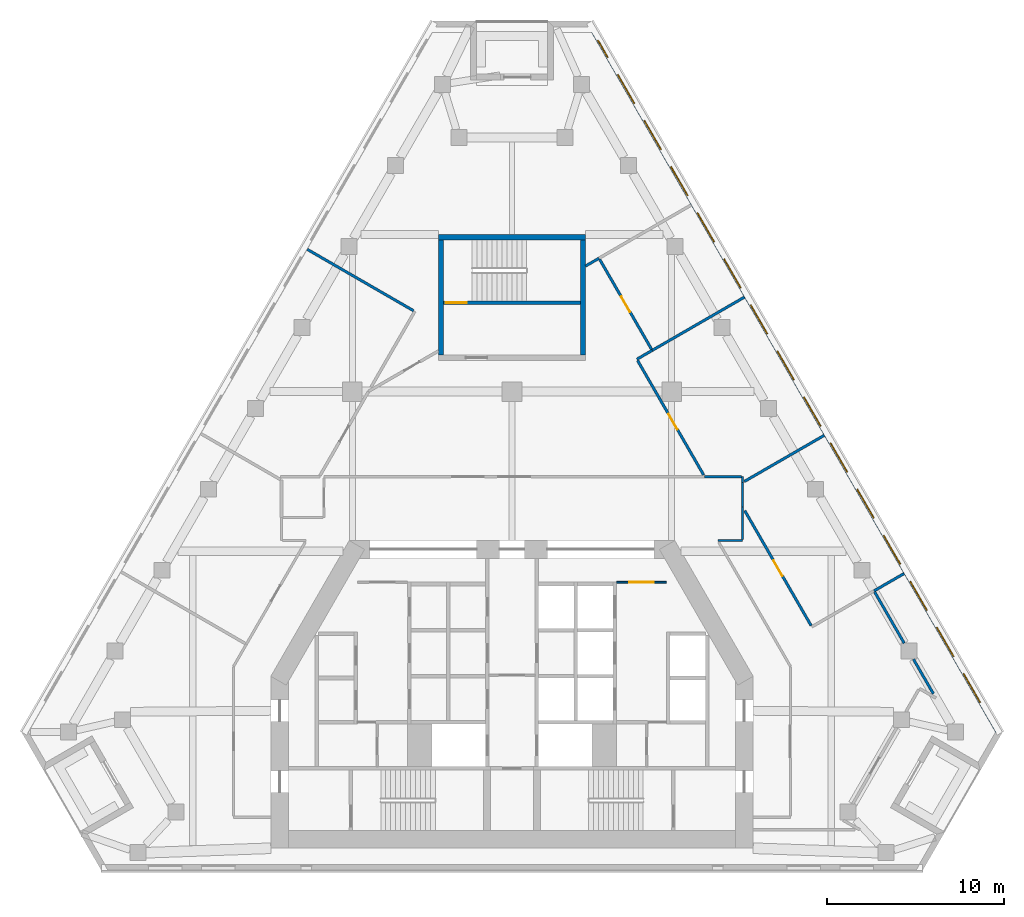
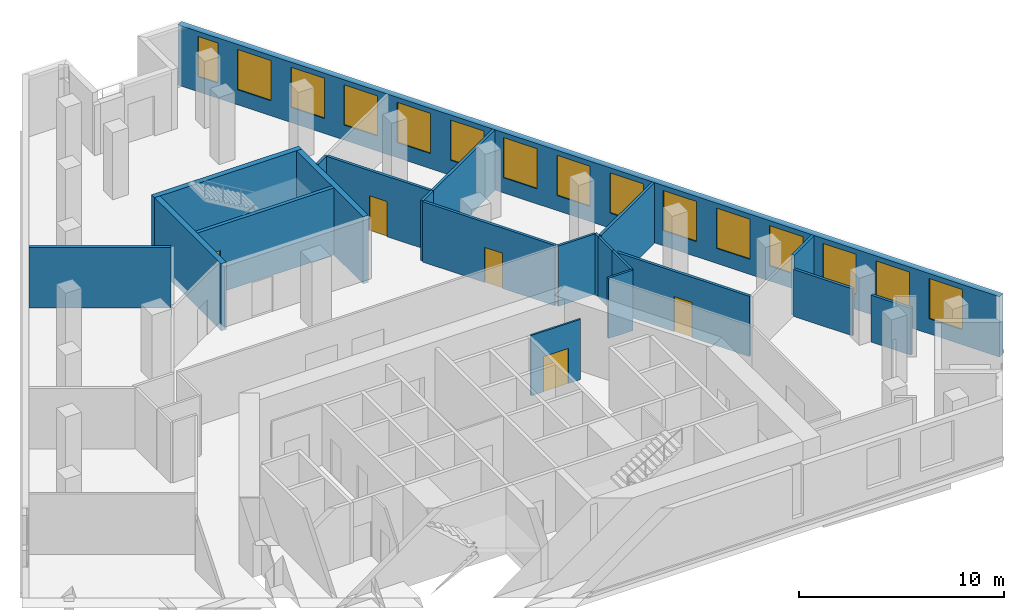
# One storey, part 7 of 9: 22 walls, 15 windows, 5 doors, 20 openings.
"""IFC4 building model written with IfcOpenShell, lengths in metres."""

from ifc_helpers import new_model, si_unit, direction, frame, frame_2d, origin, place, context, subcontext, project, spatial, rectangle, extrude, material, layer, layer_set, type_object, element, fill, save


model = new_model("IFC4")

# Units and contexts
model_context = context("Model", 3, precision=1e-05, world=origin(), true_north=direction((0.0, 1.0)))
body_context = subcontext(model_context, "Body", "Model", "MODEL_VIEW")
ifc_project = project(units=[si_unit("LENGTHUNIT", "METRE"), si_unit("AREAUNIT", "SQUARE_METRE"), si_unit("VOLUMEUNIT", "CUBIC_METRE"), si_unit("PLANEANGLEUNIT", "RADIAN"), si_unit("MASSUNIT", "GRAM", prefix="KILO")], contexts=[model_context])

# Site, building, storey
site_placement = place(None, origin())
site = spatial("IfcSite", under=ifc_project, at=site_placement, CompositionType="ELEMENT")
building_placement = place(site_placement, origin())
building = spatial("IfcBuilding", under=site, at=building_placement, Name="Fogline Exchange Tower", CompositionType="ELEMENT")
storey_placement = place(building_placement, frame((0.0, 0.0, 202.10009765625)))
storey = spatial("IfcBuildingStorey", under=building, at=storey_placement, Name="L45", CompositionType="ELEMENT", Elevation=202.10009765625)

# Wall, opening, door
ifc_material_1 = material(Name="Blockwork partition", Category="masonry")
ifc_layer_1 = layer(ifc_material_1, 0.10009765625)
ifc_layer_set_1 = layer_set([ifc_layer_1], Name="CW10")
wall_type_1 = type_object("IfcWallType", Name="CW10", PredefinedType="PARTITIONING", material=ifc_layer_set_1)
wall_1_placement = place(storey_placement, frame((5.89990234375, 16.25, 0.0), z_axis=(0.0, 0.0, 1.0), x_axis=(1.0, 0.0, 0.0)))
wall_1 = element("IfcWall", 1, at=wall_1_placement, inside=storey, type_object=wall_type_1, Name="Lift lobby partition", PredefinedType="PARTITIONING", context=body_context, shape_type="SweptSolid", body=[
    extrude(rectangle(XDim=2.800048828125, YDim=0.10009765625, at=frame_2d((1.39990234375, 0.0))), origin(), (0.0, 0.0, 1.0), 3.599853515625),
])
opening_1_placement = place(wall_1_placement, frame((0.699951171875, 0.0, 0.0)))
opening_1 = element("IfcOpeningElement", 2, at=opening_1_placement, cuts=wall_1, Name="Opening T14-C017", PredefinedType="OPENING", context=body_context, shape_type="SweptSolid", body=[
    extrude(rectangle(XDim=1.39990234375, YDim=2.10009765625, at=frame_2d((0.699951171875, 1.050048828125))), frame((0.0, 0.06005859375, 0.0), z_axis=(0.0, -1.0, 0.0), x_axis=(1.0, 0.0, 0.0)), (0.0, 0.0, 1.0), 0.1201171875),
])
ifc_material_2 = material(Name="Steel and timber fire door", Category="steel")
door_type_1 = type_object("IfcDoorType", Name="D-LB1", OperationType="DOUBLE_DOOR_SINGLE_SWING", PredefinedType="DOOR", material=ifc_material_2)
door_1_placement = place(opening_1_placement, origin())
door_1 = element("IfcDoor", 3, at=door_1_placement, inside=storey, type_object=door_type_1, Name="Door to lift lobby", OperationType="DOUBLE_DOOR_SINGLE_SWING", OverallHeight=2.10009765625, OverallWidth=1.39990234375, PredefinedType="DOOR", context=body_context, shape_type="SweptSolid", body=[
    extrude(rectangle(XDim=1.39990234375, YDim=2.10009765625, at=frame_2d((0.699951171875, 1.050048828125))), frame((0.0, 0.02490234375, 0.0), z_axis=(0.0, -1.0, 0.0), x_axis=(1.0, 0.0, 0.0)), (0.0, 0.0, 1.0), 0.050048828125),
])
fill(opening_1, door_1)

ifc_material_3 = material(Name="Concrete C40", Category="concrete")
ifc_layer_2 = layer(ifc_material_3, 0.199951171875)
ifc_layer_set_2 = layer_set([ifc_layer_2], Name="CW20R")
wall_type_2 = type_object("IfcWallType", Name="CW20R", PredefinedType="SOLIDWALL", material=ifc_layer_set_2)
wall_2_placement = place(storey_placement, frame((-3.85009765625, 32.007080078125, -0.400146484375), z_axis=(0.0, 0.0, 1.0), x_axis=(1.0, 0.0, 0.0)))
wall_2 = element("IfcWall", 4, at=wall_2_placement, inside=storey, type_object=wall_type_2, Name="Stair enclosure wall ST3", PredefinedType="SOLIDWALL", context=body_context, shape_type="SweptSolid", body=[
    extrude(rectangle(XDim=7.7001953125, YDim=0.199951171875, at=frame_2d((3.85009765625, 0.0))), origin(), (0.0, 0.0, 1.0), 4.0),
])
opening_2_placement = place(wall_2_placement, frame((0.10009765625, 0.0, 0.39990234375)))
opening_2 = element("IfcOpeningElement", 5, at=opening_2_placement, cuts=wall_2, Name="Opening T14-C028", PredefinedType="OPENING", context=body_context, shape_type="SweptSolid", body=[
    extrude(rectangle(XDim=1.199951171875, YDim=2.10009765625, at=frame_2d((0.60009765625, 1.050048828125))), frame((0.0, 0.10986328125, 0.0), z_axis=(0.0, -1.0, 0.0), x_axis=(1.0, 0.0, 0.0)), (0.0, 0.0, 1.0), 0.219970703125),
])
door_type_2 = type_object("IfcDoorType", Name="D-ST1", OperationType="SINGLE_SWING_LEFT", PredefinedType="DOOR", material=ifc_material_2)
door_2_placement = place(opening_2_placement, origin())
door_2 = element("IfcDoor", 6, at=door_2_placement, inside=storey, type_object=door_type_2, Name="Stair door ST3", OperationType="SINGLE_SWING_LEFT", OverallHeight=2.10009765625, OverallWidth=1.199951171875, PredefinedType="DOOR", context=body_context, shape_type="SweptSolid", body=[
    extrude(rectangle(XDim=1.199951171875, YDim=2.10009765625, at=frame_2d((0.60009765625, 1.050048828125))), frame((0.0, 0.02490234375, 0.0), z_axis=(0.0, -1.0, 0.0), x_axis=(1.0, 0.0, 0.0)), (0.0, 0.0, 1.0), 0.050048828125),
])
fill(opening_2, door_2)

# Walls
ifc_layer_3 = layer(ifc_material_3, 0.300048828125)
ifc_layer_set_3 = layer_set([ifc_layer_3], Name="CW30")
wall_type_3 = type_object("IfcWallType", Name="CW30", PredefinedType="SOLIDWALL", material=ifc_layer_set_3)
wall_3_placement = place(storey_placement, frame((-4.14990234375, 35.70703125, -0.400146484375), z_axis=(0.0, 0.0, 1.0), x_axis=(1.0, 0.0, 0.0)))
element("IfcWall", 7, at=wall_3_placement, inside=storey, type_object=wall_type_3, Name="Stair enclosure wall ST3", PredefinedType="SOLIDWALL", context=body_context, shape_type="SweptSolid", body=[
    extrude(rectangle(XDim=8.2998046875, YDim=0.300048828125, at=frame_2d((4.14990234375, 0.0))), origin(), (0.0, 0.0, 1.0), 4.0),
])
for number, where, z_axis, x_axis, name in (
    (8, (-4.0, 29.056884765625, -0.400146484375), (0.0, 0.0, 1.0), (0.0, 1.0, 0.0), "Stair enclosure wall ST3"),
    (9, (4.0, 29.056884765625, -0.400146484375), (0.0, 0.0, 1.0), (0.0, 1.0, 0.0), "Stair enclosure wall ST3"),
):
    element("IfcWall", number, at=place(storey_placement, frame(where, z_axis=z_axis, x_axis=x_axis)), inside=storey, type_object=wall_type_3, Name=name, PredefinedType="SOLIDWALL", context=body_context, shape_type="SweptSolid", body=[
        extrude(rectangle(XDim=6.5, YDim=0.300048828125, at=frame_2d((3.25, 0.0))), origin(), (0.0, 0.0, 1.0), 4.0),
    ])

# Wall, openings, windows
ifc_material_4 = material(Name="Brick masonry", Category="masonry")
ifc_layer_4 = layer(ifc_material_4, 0.340087890625)
ifc_layer_set_4 = layer_set([ifc_layer_4], Name="FW1")
wall_type_4 = type_object("IfcWallType", Name="FW1", PredefinedType="SOLIDWALL", material=ifc_layer_set_4)
wall_4_placement = place(storey_placement, frame((27.51171875, 7.709228515625, 0.0), z_axis=(0.0, 0.0, 1.0), x_axis=(-0.500001386688, 0.866024603178, 0.0)))
wall_4 = element("IfcWall", 10, at=wall_4_placement, inside=storey, type_object=wall_type_4, Name="Brick wall L45 E", PredefinedType="SOLIDWALL", context=body_context, shape_type="SweptSolid", body=[
    extrude(rectangle(XDim=46.317626953125, YDim=0.340087890625, at=frame_2d((23.15869140625, 0.0))), origin(), (0.0, 0.0, 1.0), 3.599853515625),
])
opening_3_placement = place(wall_4_placement, frame((2.079345703125, 0.0, 0.89990234375)))
opening_3 = element("IfcOpeningElement", 11, at=opening_3_placement, cuts=wall_4, Name="Opening W1", PredefinedType="OPENING", context=body_context, shape_type="SweptSolid", body=[
    extrude(rectangle(XDim=1.885009765625, YDim=2.39990234375, at=frame_2d((0.9423828125, 1.199951171875))), frame((0.0, 0.18017578125, 0.0), z_axis=(0.0, -1.0, 0.0), x_axis=(1.0, 0.0, 0.0)), (0.0, 0.0, 1.0), 0.360107421875),
])
opening_4_placement = place(wall_4_placement, frame((5.079345703125, 0.0, 0.89990234375)))
opening_4 = element("IfcOpeningElement", 12, at=opening_4_placement, cuts=wall_4, Name="Opening W1", PredefinedType="OPENING", context=body_context, shape_type="SweptSolid", body=[
    extrude(rectangle(XDim=1.885009765625, YDim=2.39990234375, at=frame_2d((0.9423828125, 1.199951171875))), frame((0.0, 0.18017578125, 0.0), z_axis=(0.0, -1.0, 0.0), x_axis=(1.0, 0.0, 0.0)), (0.0, 0.0, 1.0), 0.360107421875),
])
opening_5_placement = place(wall_4_placement, frame((8.079345703125, 0.0, 0.89990234375)))
opening_5 = element("IfcOpeningElement", 13, at=opening_5_placement, cuts=wall_4, Name="Opening W1", PredefinedType="OPENING", context=body_context, shape_type="SweptSolid", body=[
    extrude(rectangle(XDim=1.885009765625, YDim=2.39990234375, at=frame_2d((0.9423828125, 1.199951171875))), frame((0.0, 0.18017578125, 0.0), z_axis=(0.0, -1.0, 0.0), x_axis=(1.0, 0.0, 0.0)), (0.0, 0.0, 1.0), 0.360107421875),
])
opening_6_placement = place(wall_4_placement, frame((11.079345703125, 0.0, 0.89990234375)))
opening_6 = element("IfcOpeningElement", 14, at=opening_6_placement, cuts=wall_4, Name="Opening W1", PredefinedType="OPENING", context=body_context, shape_type="SweptSolid", body=[
    extrude(rectangle(XDim=1.885009765625, YDim=2.39990234375, at=frame_2d((0.9423828125, 1.199951171875))), frame((0.0, 0.18017578125, 0.0), z_axis=(0.0, -1.0, 0.0), x_axis=(1.0, 0.0, 0.0)), (0.0, 0.0, 1.0), 0.360107421875),
])
opening_7_placement = place(wall_4_placement, frame((14.079345703125, 0.0, 0.89990234375)))
opening_7 = element("IfcOpeningElement", 15, at=opening_7_placement, cuts=wall_4, Name="Opening W1", PredefinedType="OPENING", context=body_context, shape_type="SweptSolid", body=[
    extrude(rectangle(XDim=1.885009765625, YDim=2.39990234375, at=frame_2d((0.9423828125, 1.199951171875))), frame((0.0, 0.18017578125, 0.0), z_axis=(0.0, -1.0, 0.0), x_axis=(1.0, 0.0, 0.0)), (0.0, 0.0, 1.0), 0.360107421875),
])
opening_8_placement = place(wall_4_placement, frame((17.079345703125, 0.0, 0.89990234375)))
opening_8 = element("IfcOpeningElement", 16, at=opening_8_placement, cuts=wall_4, Name="Opening W1", PredefinedType="OPENING", context=body_context, shape_type="SweptSolid", body=[
    extrude(rectangle(XDim=1.885009765625, YDim=2.39990234375, at=frame_2d((0.9423828125, 1.199951171875))), frame((0.0, 0.18017578125, 0.0), z_axis=(0.0, -1.0, 0.0), x_axis=(1.0, 0.0, 0.0)), (0.0, 0.0, 1.0), 0.360107421875),
])
opening_9_placement = place(wall_4_placement, frame((20.079345703125, 0.0, 0.89990234375)))
opening_9 = element("IfcOpeningElement", 17, at=opening_9_placement, cuts=wall_4, Name="Opening W1", PredefinedType="OPENING", context=body_context, shape_type="SweptSolid", body=[
    extrude(rectangle(XDim=1.885009765625, YDim=2.39990234375, at=frame_2d((0.9423828125, 1.199951171875))), frame((0.0, 0.18017578125, 0.0), z_axis=(0.0, -1.0, 0.0), x_axis=(1.0, 0.0, 0.0)), (0.0, 0.0, 1.0), 0.360107421875),
])
opening_10_placement = place(wall_4_placement, frame((23.079345703125, 0.0, 0.89990234375)))
opening_10 = element("IfcOpeningElement", 18, at=opening_10_placement, cuts=wall_4, Name="Opening W1", PredefinedType="OPENING", context=body_context, shape_type="SweptSolid", body=[
    extrude(rectangle(XDim=1.885009765625, YDim=2.39990234375, at=frame_2d((0.9423828125, 1.199951171875))), frame((0.0, 0.18017578125, 0.0), z_axis=(0.0, -1.0, 0.0), x_axis=(1.0, 0.0, 0.0)), (0.0, 0.0, 1.0), 0.360107421875),
])
opening_11_placement = place(wall_4_placement, frame((26.079345703125, 0.0, 0.89990234375)))
opening_11 = element("IfcOpeningElement", 19, at=opening_11_placement, cuts=wall_4, Name="Opening W1", PredefinedType="OPENING", context=body_context, shape_type="SweptSolid", body=[
    extrude(rectangle(XDim=1.885009765625, YDim=2.39990234375, at=frame_2d((0.9423828125, 1.199951171875))), frame((0.0, 0.18017578125, 0.0), z_axis=(0.0, -1.0, 0.0), x_axis=(1.0, 0.0, 0.0)), (0.0, 0.0, 1.0), 0.360107421875),
])
opening_12_placement = place(wall_4_placement, frame((29.079345703125, 0.0, 0.89990234375)))
opening_12 = element("IfcOpeningElement", 20, at=opening_12_placement, cuts=wall_4, Name="Opening W1", PredefinedType="OPENING", context=body_context, shape_type="SweptSolid", body=[
    extrude(rectangle(XDim=1.885009765625, YDim=2.39990234375, at=frame_2d((0.9423828125, 1.199951171875))), frame((0.0, 0.18017578125, 0.0), z_axis=(0.0, -1.0, 0.0), x_axis=(1.0, 0.0, 0.0)), (0.0, 0.0, 1.0), 0.360107421875),
])
opening_13_placement = place(wall_4_placement, frame((32.079345703125, 0.0, 0.89990234375)))
opening_13 = element("IfcOpeningElement", 21, at=opening_13_placement, cuts=wall_4, Name="Opening W1", PredefinedType="OPENING", context=body_context, shape_type="SweptSolid", body=[
    extrude(rectangle(XDim=1.885009765625, YDim=2.39990234375, at=frame_2d((0.9423828125, 1.199951171875))), frame((0.0, 0.18017578125, 0.0), z_axis=(0.0, -1.0, 0.0), x_axis=(1.0, 0.0, 0.0)), (0.0, 0.0, 1.0), 0.360107421875),
])
opening_14_placement = place(wall_4_placement, frame((35.079345703125, 0.0, 0.89990234375)))
opening_14 = element("IfcOpeningElement", 22, at=opening_14_placement, cuts=wall_4, Name="Opening W1", PredefinedType="OPENING", context=body_context, shape_type="SweptSolid", body=[
    extrude(rectangle(XDim=1.885009765625, YDim=2.39990234375, at=frame_2d((0.9423828125, 1.199951171875))), frame((0.0, 0.18017578125, 0.0), z_axis=(0.0, -1.0, 0.0), x_axis=(1.0, 0.0, 0.0)), (0.0, 0.0, 1.0), 0.360107421875),
])
opening_15_placement = place(wall_4_placement, frame((38.079345703125, 0.0, 0.89990234375)))
opening_15 = element("IfcOpeningElement", 23, at=opening_15_placement, cuts=wall_4, Name="Opening W1", PredefinedType="OPENING", context=body_context, shape_type="SweptSolid", body=[
    extrude(rectangle(XDim=1.885009765625, YDim=2.39990234375, at=frame_2d((0.9423828125, 1.199951171875))), frame((0.0, 0.18017578125, 0.0), z_axis=(0.0, -1.0, 0.0), x_axis=(1.0, 0.0, 0.0)), (0.0, 0.0, 1.0), 0.360107421875),
])
opening_16_placement = place(wall_4_placement, frame((41.079345703125, 0.0, 0.89990234375)))
opening_16 = element("IfcOpeningElement", 24, at=opening_16_placement, cuts=wall_4, Name="Opening W1", PredefinedType="OPENING", context=body_context, shape_type="SweptSolid", body=[
    extrude(rectangle(XDim=1.885009765625, YDim=2.39990234375, at=frame_2d((0.9423828125, 1.199951171875))), frame((0.0, 0.18017578125, 0.0), z_axis=(0.0, -1.0, 0.0), x_axis=(1.0, 0.0, 0.0)), (0.0, 0.0, 1.0), 0.360107421875),
])
opening_17_placement = place(wall_4_placement, frame((44.083740234375, 0.0, 0.89990234375)))
opening_17 = element("IfcOpeningElement", 25, at=opening_17_placement, cuts=wall_4, Name="Opening W4", PredefinedType="OPENING", context=body_context, shape_type="SweptSolid", body=[
    extrude(rectangle(XDim=1.114990234375, YDim=2.39990234375, at=frame_2d((0.5576171875, 1.199951171875))), frame((0.0, 0.18017578125, 0.0), z_axis=(0.0, -1.0, 0.0), x_axis=(1.0, 0.0, 0.0)), (0.0, 0.0, 1.0), 0.360107421875),
])
ifc_material_5 = material(Name="Aluminium and glass", Category="aluminium")
window_type_1 = type_object("IfcWindowType", Name="W1", PartitioningType="SINGLE_PANEL", PredefinedType="WINDOW", material=ifc_material_5)
window_1_placement = place(opening_3_placement, origin())
window_1 = element("IfcWindow", 26, at=window_1_placement, inside=storey, type_object=window_type_1, Name="W1 W1", OverallHeight=2.39990234375, OverallWidth=1.885009765625, PartitioningType="SINGLE_PANEL", PredefinedType="WINDOW", context=body_context, shape_type="SweptSolid", body=[
    extrude(rectangle(XDim=1.885009765625, YDim=2.39990234375, at=frame_2d((0.9423828125, 1.199951171875))), frame((0.0, 0.110107421875, 0.0), z_axis=(0.0, -1.0, 0.0), x_axis=(1.0, 0.0, 0.0)), (0.0, 0.0, 1.0), 0.06005859375),
])
fill(opening_3, window_1)
window_2_placement = place(opening_4_placement, origin())
window_2 = element("IfcWindow", 27, at=window_2_placement, inside=storey, type_object=window_type_1, Name="W1 W1", OverallHeight=2.39990234375, OverallWidth=1.885009765625, PartitioningType="SINGLE_PANEL", PredefinedType="WINDOW", context=body_context, shape_type="SweptSolid", body=[
    extrude(rectangle(XDim=1.885009765625, YDim=2.39990234375, at=frame_2d((0.9423828125, 1.199951171875))), frame((0.0, 0.110107421875, 0.0), z_axis=(0.0, -1.0, 0.0), x_axis=(1.0, 0.0, 0.0)), (0.0, 0.0, 1.0), 0.06005859375),
])
fill(opening_4, window_2)
window_3_placement = place(opening_5_placement, origin())
window_3 = element("IfcWindow", 28, at=window_3_placement, inside=storey, type_object=window_type_1, Name="W1 W1", OverallHeight=2.39990234375, OverallWidth=1.885009765625, PartitioningType="SINGLE_PANEL", PredefinedType="WINDOW", context=body_context, shape_type="SweptSolid", body=[
    extrude(rectangle(XDim=1.885009765625, YDim=2.39990234375, at=frame_2d((0.9423828125, 1.199951171875))), frame((0.0, 0.110107421875, 0.0), z_axis=(0.0, -1.0, 0.0), x_axis=(1.0, 0.0, 0.0)), (0.0, 0.0, 1.0), 0.06005859375),
])
fill(opening_5, window_3)
window_4_placement = place(opening_6_placement, origin())
window_4 = element("IfcWindow", 29, at=window_4_placement, inside=storey, type_object=window_type_1, Name="W1 W1", OverallHeight=2.39990234375, OverallWidth=1.885009765625, PartitioningType="SINGLE_PANEL", PredefinedType="WINDOW", context=body_context, shape_type="SweptSolid", body=[
    extrude(rectangle(XDim=1.885009765625, YDim=2.39990234375, at=frame_2d((0.9423828125, 1.199951171875))), frame((0.0, 0.110107421875, 0.0), z_axis=(0.0, -1.0, 0.0), x_axis=(1.0, 0.0, 0.0)), (0.0, 0.0, 1.0), 0.06005859375),
])
fill(opening_6, window_4)
window_5_placement = place(opening_7_placement, origin())
window_5 = element("IfcWindow", 30, at=window_5_placement, inside=storey, type_object=window_type_1, Name="W1 W1", OverallHeight=2.39990234375, OverallWidth=1.885009765625, PartitioningType="SINGLE_PANEL", PredefinedType="WINDOW", context=body_context, shape_type="SweptSolid", body=[
    extrude(rectangle(XDim=1.885009765625, YDim=2.39990234375, at=frame_2d((0.9423828125, 1.199951171875))), frame((0.0, 0.110107421875, 0.0), z_axis=(0.0, -1.0, 0.0), x_axis=(1.0, 0.0, 0.0)), (0.0, 0.0, 1.0), 0.06005859375),
])
fill(opening_7, window_5)
window_6_placement = place(opening_8_placement, origin())
window_6 = element("IfcWindow", 31, at=window_6_placement, inside=storey, type_object=window_type_1, Name="W1 W1", OverallHeight=2.39990234375, OverallWidth=1.885009765625, PartitioningType="SINGLE_PANEL", PredefinedType="WINDOW", context=body_context, shape_type="SweptSolid", body=[
    extrude(rectangle(XDim=1.885009765625, YDim=2.39990234375, at=frame_2d((0.9423828125, 1.199951171875))), frame((0.0, 0.110107421875, 0.0), z_axis=(0.0, -1.0, 0.0), x_axis=(1.0, 0.0, 0.0)), (0.0, 0.0, 1.0), 0.06005859375),
])
fill(opening_8, window_6)
window_7_placement = place(opening_9_placement, origin())
window_7 = element("IfcWindow", 32, at=window_7_placement, inside=storey, type_object=window_type_1, Name="W1 W1", OverallHeight=2.39990234375, OverallWidth=1.885009765625, PartitioningType="SINGLE_PANEL", PredefinedType="WINDOW", context=body_context, shape_type="SweptSolid", body=[
    extrude(rectangle(XDim=1.885009765625, YDim=2.39990234375, at=frame_2d((0.9423828125, 1.199951171875))), frame((0.0, 0.110107421875, 0.0), z_axis=(0.0, -1.0, 0.0), x_axis=(1.0, 0.0, 0.0)), (0.0, 0.0, 1.0), 0.06005859375),
])
fill(opening_9, window_7)
window_8_placement = place(opening_10_placement, origin())
window_8 = element("IfcWindow", 33, at=window_8_placement, inside=storey, type_object=window_type_1, Name="W1 W1", OverallHeight=2.39990234375, OverallWidth=1.885009765625, PartitioningType="SINGLE_PANEL", PredefinedType="WINDOW", context=body_context, shape_type="SweptSolid", body=[
    extrude(rectangle(XDim=1.885009765625, YDim=2.39990234375, at=frame_2d((0.9423828125, 1.199951171875))), frame((0.0, 0.110107421875, 0.0), z_axis=(0.0, -1.0, 0.0), x_axis=(1.0, 0.0, 0.0)), (0.0, 0.0, 1.0), 0.06005859375),
])
fill(opening_10, window_8)
window_9_placement = place(opening_11_placement, origin())
window_9 = element("IfcWindow", 34, at=window_9_placement, inside=storey, type_object=window_type_1, Name="W1 W1", OverallHeight=2.39990234375, OverallWidth=1.885009765625, PartitioningType="SINGLE_PANEL", PredefinedType="WINDOW", context=body_context, shape_type="SweptSolid", body=[
    extrude(rectangle(XDim=1.885009765625, YDim=2.39990234375, at=frame_2d((0.9423828125, 1.199951171875))), frame((0.0, 0.110107421875, 0.0), z_axis=(0.0, -1.0, 0.0), x_axis=(1.0, 0.0, 0.0)), (0.0, 0.0, 1.0), 0.06005859375),
])
fill(opening_11, window_9)
window_10_placement = place(opening_12_placement, origin())
window_10 = element("IfcWindow", 35, at=window_10_placement, inside=storey, type_object=window_type_1, Name="W1 W1", OverallHeight=2.39990234375, OverallWidth=1.885009765625, PartitioningType="SINGLE_PANEL", PredefinedType="WINDOW", context=body_context, shape_type="SweptSolid", body=[
    extrude(rectangle(XDim=1.885009765625, YDim=2.39990234375, at=frame_2d((0.9423828125, 1.199951171875))), frame((0.0, 0.110107421875, 0.0), z_axis=(0.0, -1.0, 0.0), x_axis=(1.0, 0.0, 0.0)), (0.0, 0.0, 1.0), 0.06005859375),
])
fill(opening_12, window_10)
window_11_placement = place(opening_13_placement, origin())
window_11 = element("IfcWindow", 36, at=window_11_placement, inside=storey, type_object=window_type_1, Name="W1 W1", OverallHeight=2.39990234375, OverallWidth=1.885009765625, PartitioningType="SINGLE_PANEL", PredefinedType="WINDOW", context=body_context, shape_type="SweptSolid", body=[
    extrude(rectangle(XDim=1.885009765625, YDim=2.39990234375, at=frame_2d((0.9423828125, 1.199951171875))), frame((0.0, 0.110107421875, 0.0), z_axis=(0.0, -1.0, 0.0), x_axis=(1.0, 0.0, 0.0)), (0.0, 0.0, 1.0), 0.06005859375),
])
fill(opening_13, window_11)
window_12_placement = place(opening_14_placement, origin())
window_12 = element("IfcWindow", 37, at=window_12_placement, inside=storey, type_object=window_type_1, Name="W1 W1", OverallHeight=2.39990234375, OverallWidth=1.885009765625, PartitioningType="SINGLE_PANEL", PredefinedType="WINDOW", context=body_context, shape_type="SweptSolid", body=[
    extrude(rectangle(XDim=1.885009765625, YDim=2.39990234375, at=frame_2d((0.9423828125, 1.199951171875))), frame((0.0, 0.110107421875, 0.0), z_axis=(0.0, -1.0, 0.0), x_axis=(1.0, 0.0, 0.0)), (0.0, 0.0, 1.0), 0.06005859375),
])
fill(opening_14, window_12)
window_13_placement = place(opening_15_placement, origin())
window_13 = element("IfcWindow", 38, at=window_13_placement, inside=storey, type_object=window_type_1, Name="W1 W1", OverallHeight=2.39990234375, OverallWidth=1.885009765625, PartitioningType="SINGLE_PANEL", PredefinedType="WINDOW", context=body_context, shape_type="SweptSolid", body=[
    extrude(rectangle(XDim=1.885009765625, YDim=2.39990234375, at=frame_2d((0.9423828125, 1.199951171875))), frame((0.0, 0.110107421875, 0.0), z_axis=(0.0, -1.0, 0.0), x_axis=(1.0, 0.0, 0.0)), (0.0, 0.0, 1.0), 0.06005859375),
])
fill(opening_15, window_13)
window_14_placement = place(opening_16_placement, origin())
window_14 = element("IfcWindow", 39, at=window_14_placement, inside=storey, type_object=window_type_1, Name="W1 W1", OverallHeight=2.39990234375, OverallWidth=1.885009765625, PartitioningType="SINGLE_PANEL", PredefinedType="WINDOW", context=body_context, shape_type="SweptSolid", body=[
    extrude(rectangle(XDim=1.885009765625, YDim=2.39990234375, at=frame_2d((0.9423828125, 1.199951171875))), frame((0.0, 0.110107421875, 0.0), z_axis=(0.0, -1.0, 0.0), x_axis=(1.0, 0.0, 0.0)), (0.0, 0.0, 1.0), 0.06005859375),
])
fill(opening_16, window_14)
window_type_2 = type_object("IfcWindowType", Name="W4", PartitioningType="SINGLE_PANEL", PredefinedType="WINDOW", material=ifc_material_5)
window_15_placement = place(opening_17_placement, origin())
window_15 = element("IfcWindow", 40, at=window_15_placement, inside=storey, type_object=window_type_2, Name="W4 W4", OverallHeight=2.39990234375, OverallWidth=1.114990234375, PartitioningType="SINGLE_PANEL", PredefinedType="WINDOW", context=body_context, shape_type="SweptSolid", body=[
    extrude(rectangle(XDim=1.114990234375, YDim=2.39990234375, at=frame_2d((0.5576171875, 1.199951171875))), frame((0.0, 0.110107421875, 0.0), z_axis=(0.0, -1.0, 0.0), x_axis=(1.0, 0.0, 0.0)), (0.0, 0.0, 1.0), 0.06005859375),
])
fill(opening_17, window_15)

# Walls
ifc_material_6 = material(Name="Plasterboard corridor partition with mineral wool, 2 layers each side")
ifc_layer_5 = layer(ifc_material_6, 0.125)
ifc_layer_set_5 = layer_set([ifc_layer_5], Name="PW2")
wall_type_5 = type_object("IfcWallType", Name="PW2", PredefinedType="PARTITIONING", material=ifc_layer_set_5)
wall_5_placement = place(storey_placement, frame((13.0, 21.872802734375, 0.0), z_axis=(0.0, 0.0, 1.0), x_axis=(0.0, -1.0, 0.0)))
element("IfcWall", 41, at=wall_5_placement, inside=storey, type_object=wall_type_5, Name="wall-L45-W004", PredefinedType="PARTITIONING", context=body_context, shape_type="SweptSolid", body=[
    extrude(rectangle(XDim=1.36865234375, YDim=0.125, at=frame_2d((0.684326171875, 0.0))), origin(), (0.0, 0.0, 1.0), 3.599853515625),
])
wall_6_placement = place(storey_placement, frame((10.8662109375, 22.199951171875, 0.0), z_axis=(0.0, 0.0, 1.0), x_axis=(1.0, 0.0, 0.0)))
element("IfcWall", 42, at=wall_6_placement, inside=storey, type_object=wall_type_5, Name="wall-L45-W005", PredefinedType="PARTITIONING", context=body_context, shape_type="SweptSolid", body=[
    extrude(rectangle(XDim=2.0712890625, YDim=0.125, at=frame_2d((1.03564453125, 0.0))), origin(), (0.0, 0.0, 1.0), 3.599853515625),
])
wall_7_placement = place(storey_placement, frame((13.0, 22.199951171875, 0.0), z_axis=(0.0, 0.0, 1.0), x_axis=(0.0, -1.0, 0.0)))
element("IfcWall", 43, at=wall_7_placement, inside=storey, type_object=wall_type_5, Name="wall-L45-W006", PredefinedType="PARTITIONING", context=body_context, shape_type="SweptSolid", body=[
    extrude(rectangle(XDim=0.3271484375, YDim=0.125, at=frame_2d((0.16357421875, 0.0))), origin(), (0.0, 0.0, 1.0), 3.599853515625),
])
wall_8_placement = place(storey_placement, frame((13.0, 20.504150390625, 0.0), z_axis=(0.0, 0.0, 1.0), x_axis=(0.0, -1.0, 0.0)))
element("IfcWall", 44, at=wall_8_placement, inside=storey, type_object=wall_type_5, Name="wall-L45-W012", PredefinedType="PARTITIONING", context=body_context, shape_type="SweptSolid", body=[
    extrude(rectangle(XDim=1.841552734375, YDim=0.125, at=frame_2d((0.9208984375, 0.0))), origin(), (0.0, 0.0, 1.0), 3.599853515625),
])
wall_9_placement = place(storey_placement, frame((13.0, 18.60009765625, 0.0), z_axis=(0.0, 0.0, 1.0), x_axis=(-1.0, 0.0, 0.0)))
element("IfcWall", 45, at=wall_9_placement, inside=storey, type_object=wall_type_5, Name="wall-L45-W013", PredefinedType="PARTITIONING", context=body_context, shape_type="SweptSolid", body=[
    extrude(rectangle(XDim=1.39453125, YDim=0.125, at=frame_2d((0.697265625, 0.0))), origin(), (0.0, 0.0, 1.0), 3.599853515625),
])
ifc_material_7 = material(Name="Plasterboard demising partition with mineral wool and acoustic board")
ifc_layer_6 = layer(ifc_material_7, 0.14990234375)
ifc_layer_set_6 = layer_set([ifc_layer_6], Name="PW3")
wall_type_6 = type_object("IfcWallType", Name="PW3", PredefinedType="PARTITIONING", material=ifc_layer_set_6)
wall_10_placement = place(storey_placement, frame((13.100341796875, 21.930908203125, 0.0), z_axis=(0.0, 0.0, 1.0), x_axis=(0.866029992723, 0.499992051641, 0.0)))
element("IfcWall", 46, at=wall_10_placement, inside=storey, type_object=wall_type_6, Name="wall-L45-W018", PredefinedType="PARTITIONING", context=body_context, shape_type="SweptSolid", body=[
    extrude(rectangle(XDim=5.19970703125, YDim=0.14990234375, at=frame_2d((2.599853515625, 0.0))), origin(), (0.0, 0.0, 1.0), 3.599853515625),
])
wall_11_placement = place(storey_placement, frame((22.103515625, 16.736572265625, 0.0), z_axis=(0.0, 0.0, 1.0), x_axis=(-0.866000020948, -0.500043961785, 0.0)))
element("IfcWall", 47, at=wall_11_placement, inside=storey, type_object=wall_type_6, Name="wall-L45-W019", PredefinedType="PARTITIONING", context=body_context, shape_type="SweptSolid", body=[
    extrude(rectangle(XDim=1.949951171875, YDim=0.14990234375, at=frame_2d((0.97509765625, 0.0))), origin(), (0.0, 0.0, 1.0), 3.599853515625),
])

# Wall, opening, door
wall_12_placement = place(storey_placement, frame((16.869873046875, 13.801513671875, 0.0), z_axis=(0.0, 0.0, 1.0), x_axis=(-0.499998231264, 0.866026424962, 0.0)))
wall_12 = element("IfcWall", 48, at=wall_12_placement, inside=storey, type_object=wall_type_6, Name="wall-L45-W021", PredefinedType="PARTITIONING", context=body_context, shape_type="SweptSolid", body=[
    extrude(rectangle(XDim=7.484375, YDim=0.14990234375, at=frame_2d((3.7421875, 0.0))), origin(), (0.0, 0.0, 1.0), 3.599853515625),
])
opening_18_placement = place(wall_12_placement, frame((3.2421875, 0.0, 0.0)))
opening_18 = element("IfcOpeningElement", 49, at=opening_18_placement, cuts=wall_12, Name="Opening T14-D007", PredefinedType="OPENING", context=body_context, shape_type="SweptSolid", body=[
    extrude(rectangle(XDim=1.0, YDim=2.10009765625, at=frame_2d((0.5, 1.050048828125))), frame((0.0, 0.0849609375, 0.0), z_axis=(0.0, -1.0, 0.0), x_axis=(1.0, 0.0, 0.0)), (0.0, 0.0, 1.0), 0.169921875),
])
ifc_material_8 = material(Name="Fire-rated timber door leaf with steel frame", Category="steel")
door_type_3 = type_object("IfcDoorType", Name="D3", OperationType="SINGLE_SWING_LEFT", PredefinedType="DOOR", material=ifc_material_8)
door_3_placement = place(opening_18_placement, frame((1.0, 0.0, 0.0), z_axis=(0.0, 0.0, 1.0), x_axis=(-1.0, 0.0, 0.0)))
door_3 = element("IfcDoor", 50, at=door_3_placement, inside=storey, type_object=door_type_3, Name="door-L45-D007", OperationType="SINGLE_SWING_RIGHT", OverallHeight=2.10009765625, OverallWidth=1.0, PredefinedType="DOOR", context=body_context, shape_type="SweptSolid", body=[
    extrude(rectangle(XDim=1.0, YDim=2.10009765625, at=frame_2d((0.5, 1.050048828125))), frame((0.0, 0.02490234375, 0.0), z_axis=(0.0, -1.0, 0.0), x_axis=(1.0, 0.0, 0.0)), (0.0, 0.0, 1.0), 0.050048828125),
])
fill(opening_18, door_3)

# Wall
wall_13_placement = place(storey_placement, frame((7.9072265625, 29.324951171875, 0.0), z_axis=(0.0, 0.0, 1.0), x_axis=(0.866031096941, 0.499990139034, 0.0)))
element("IfcWall", 51, at=wall_13_placement, inside=storey, type_object=wall_type_6, Name="wall-L45-W022", PredefinedType="PARTITIONING", context=body_context, shape_type="SweptSolid", body=[
    extrude(rectangle(XDim=6.0, YDim=0.14990234375, at=frame_2d((3.0, 0.0))), origin(), (0.0, 0.0, 1.0), 3.599853515625),
])

# Wall, opening, door
wall_14_placement = place(storey_placement, frame((10.80810546875, 22.30029296875, 0.0), z_axis=(0.0, 0.0, 1.0), x_axis=(-0.499972731866, 0.866041146477, 0.0)))
wall_14 = element("IfcWall", 52, at=wall_14_placement, inside=storey, type_object=wall_type_6, Name="wall-L45-W023", PredefinedType="PARTITIONING", context=body_context, shape_type="SweptSolid", body=[
    extrude(rectangle(XDim=7.458984375, YDim=0.14990234375, at=frame_2d((3.7294921875, 0.0))), origin(), (0.0, 0.0, 1.0), 3.599853515625),
])
opening_19_placement = place(wall_14_placement, frame((2.95849609375, 0.0, 0.0)))
opening_19 = element("IfcOpeningElement", 53, at=opening_19_placement, cuts=wall_14, Name="Opening T14-D008", PredefinedType="OPENING", context=body_context, shape_type="SweptSolid", body=[
    extrude(rectangle(XDim=1.0, YDim=2.10009765625, at=frame_2d((0.5, 1.050048828125))), frame((0.0, 0.0849609375, 0.0), z_axis=(0.0, -1.0, 0.0), x_axis=(1.0, 0.0, 0.0)), (0.0, 0.0, 1.0), 0.169921875),
])
door_4_placement = place(opening_19_placement, frame((1.0, 0.0, 0.0), z_axis=(0.0, 0.0, 1.0), x_axis=(-1.0, 0.0, 0.0)))
door_4 = element("IfcDoor", 54, at=door_4_placement, inside=storey, type_object=door_type_3, Name="door-L45-D008", OperationType="SINGLE_SWING_RIGHT", OverallHeight=2.10009765625, OverallWidth=1.0, PredefinedType="DOOR", context=body_context, shape_type="SweptSolid", body=[
    extrude(rectangle(XDim=1.0, YDim=2.10009765625, at=frame_2d((0.5, 1.050048828125))), frame((0.0, 0.02490234375, 0.0), z_axis=(0.0, -1.0, 0.0), x_axis=(1.0, 0.0, 0.0)), (0.0, 0.0, 1.0), 0.050048828125),
])
fill(opening_19, door_4)

# Wall
wall_15_placement = place(storey_placement, frame((7.041259765625, 28.824951171875, 0.0), z_axis=(0.0, 0.0, 1.0), x_axis=(0.866010750942, 0.50002537861, 0.0)))
element("IfcWall", 55, at=wall_15_placement, inside=storey, type_object=wall_type_6, Name="wall-L45-W024", PredefinedType="PARTITIONING", context=body_context, shape_type="SweptSolid", body=[
    extrude(rectangle(XDim=1.0, YDim=0.14990234375, at=frame_2d((0.5, 0.0))), origin(), (0.0, 0.0, 1.0), 3.599853515625),
])

# Wall, opening, door
wall_16_placement = place(storey_placement, frame((7.869873046875, 29.389892578125, 0.0), z_axis=(0.0, 0.0, 1.0), x_axis=(-0.500012662943, 0.866018092707, 0.0)))
wall_16 = element("IfcWall", 56, at=wall_16_placement, inside=storey, type_object=wall_type_6, Name="wall-L45-W025", PredefinedType="PARTITIONING", context=body_context, shape_type="SweptSolid", body=[
    extrude(rectangle(XDim=5.849853515625, YDim=0.14990234375, at=frame_2d((2.9248046875, 0.0))), origin(), (0.0, 0.0, 1.0), 3.599853515625),
])
opening_20_placement = place(wall_16_placement, frame((2.425048828125, 0.0, 0.0)))
opening_20 = element("IfcOpeningElement", 57, at=opening_20_placement, cuts=wall_16, Name="Opening T14-D009", PredefinedType="OPENING", context=body_context, shape_type="SweptSolid", body=[
    extrude(rectangle(XDim=1.0, YDim=2.10009765625, at=frame_2d((0.5, 1.050048828125))), frame((0.0, 0.0849609375, 0.0), z_axis=(0.0, -1.0, 0.0), x_axis=(1.0, 0.0, 0.0)), (0.0, 0.0, 1.0), 0.169921875),
])
door_5_placement = place(opening_20_placement, frame((1.0, 0.0, 0.0), z_axis=(0.0, 0.0, 1.0), x_axis=(-1.0, 0.0, 0.0)))
door_5 = element("IfcDoor", 58, at=door_5_placement, inside=storey, type_object=door_type_3, Name="door-L45-D009", OperationType="SINGLE_SWING_RIGHT", OverallHeight=2.10009765625, OverallWidth=1.0, PredefinedType="DOOR", context=body_context, shape_type="SweptSolid", body=[
    extrude(rectangle(XDim=1.0, YDim=2.10009765625, at=frame_2d((0.5, 1.050048828125))), frame((0.0, 0.02490234375, 0.0), z_axis=(0.0, -1.0, 0.0), x_axis=(1.0, 0.0, 0.0)), (0.0, 0.0, 1.0), 0.050048828125),
])
fill(opening_20, door_5)

# Walls
wall_17_placement = place(storey_placement, frame((4.14990234375, 34.083984375, 0.0), z_axis=(0.0, 0.0, 1.0), x_axis=(0.866139097356, 0.499803025231, 0.0)))
element("IfcWall", 59, at=wall_17_placement, inside=storey, type_object=wall_type_6, Name="wall-L45-W027", PredefinedType="PARTITIONING", context=body_context, shape_type="SweptSolid", body=[
    extrude(rectangle(XDim=0.874267578125, YDim=0.14990234375, at=frame_2d((0.43701171875, 0.0))), origin(), (0.0, 0.0, 1.0), 3.599853515625),
])
wall_18_placement = place(storey_placement, frame((-5.548828125, 31.56005859375, 0.0), z_axis=(0.0, 0.0, 1.0), x_axis=(-0.866010626124, 0.500025594786, 0.0)))
element("IfcWall", 60, at=wall_18_placement, inside=storey, type_object=wall_type_6, Name="wall-L45-W031", PredefinedType="PARTITIONING", context=body_context, shape_type="SweptSolid", body=[
    extrude(rectangle(XDim=6.925048828125, YDim=0.14990234375, at=frame_2d((3.46240234375, 0.0))), origin(), (0.0, 0.0, 1.0), 3.599853515625),
])
wall_19_placement = place(storey_placement, frame((23.76220703125, 9.96337890625, 0.0), z_axis=(0.0, 0.0, 1.0), x_axis=(-0.499957405522, 0.866049994321, 0.0)))
element("IfcWall", 61, at=wall_19_placement, inside=storey, type_object=wall_type_6, Name="wall-L45-W041", PredefinedType="PARTITIONING", context=body_context, shape_type="SweptSolid", body=[
    extrude(rectangle(XDim=2.248779296875, YDim=0.14990234375, at=frame_2d((1.12451171875, 0.0))), origin(), (0.0, 0.0, 1.0), 2.7998046875),
])
wall_20_placement = place(storey_placement, frame((22.118408203125, 12.810791015625, 0.0), z_axis=(0.0, 0.0, 1.0), x_axis=(-0.500039553057, 0.866002566612, 0.0)))
element("IfcWall", 62, at=wall_20_placement, inside=storey, type_object=wall_type_6, Name="wall-L45-W042", PredefinedType="PARTITIONING", context=body_context, shape_type="SweptSolid", body=[
    extrude(rectangle(XDim=3.332275390625, YDim=0.14990234375, at=frame_2d((1.666015625, 0.0))), origin(), (0.0, 0.0, 1.0), 2.7998046875),
])

save(model, "model.ifc")
